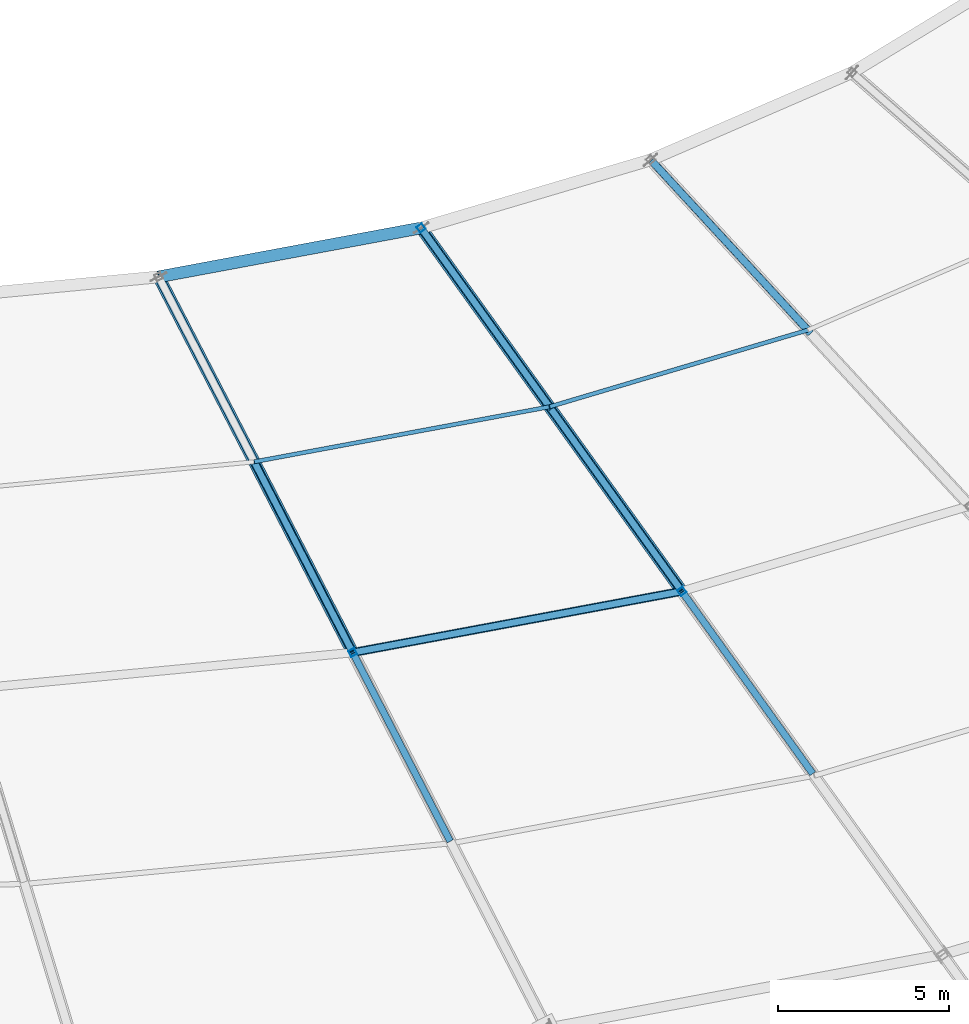
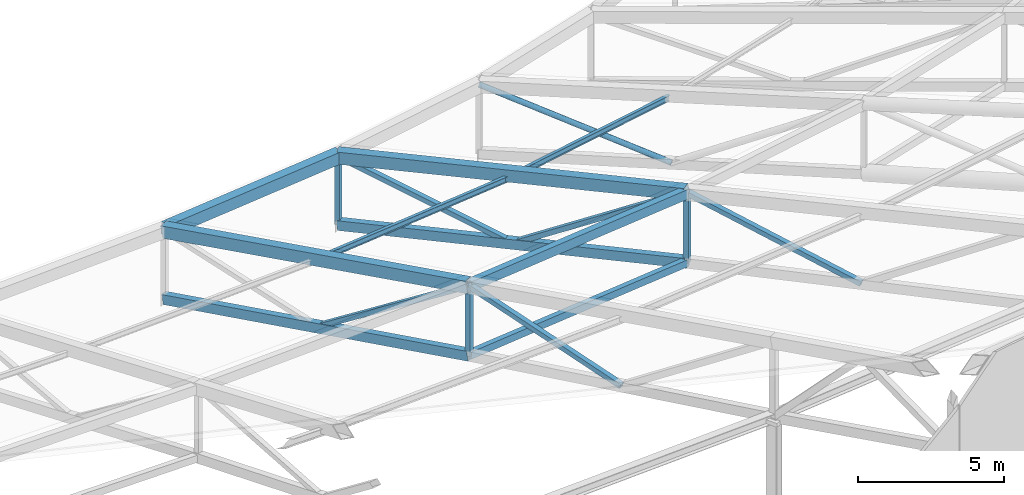
# One storey, part 58 of 143: 12 members, 6 beams.
"""IFC4 building model written with IfcOpenShell, lengths in metres."""

from ifc_helpers import new_model, si_unit, direction, frame, origin, origin_2d, place, context, subcontext, project, spatial, hollow_rectangle, hollow_circle, i_section, extrude, material, material_profile, profile_set, type_object, element, save


model = new_model("IFC4")

# Units and contexts
model_context = context("Model", 3, precision=1e-05, world=origin(), true_north=direction((0.0, 1.0)))
body_context = subcontext(model_context, "Body", "Model", "MODEL_VIEW")
ifc_project = project(units=[si_unit("LENGTHUNIT", "METRE"), si_unit("AREAUNIT", "SQUARE_METRE"), si_unit("VOLUMEUNIT", "CUBIC_METRE"), si_unit("PLANEANGLEUNIT", "RADIAN"), si_unit("MASSUNIT", "GRAM", prefix="KILO")], contexts=[model_context])

# Site, building, storey
site_placement = place(None, origin())
site = spatial("IfcSite", under=ifc_project, at=site_placement, CompositionType="ELEMENT")
building_placement = place(site_placement, origin())
building = spatial("IfcBuilding", under=site, at=building_placement, Name="Mphavela Belvedere Stadium", CompositionType="ELEMENT")
storey_placement = place(building_placement, frame((0.0, 0.0, 28.800048828125)))
storey = spatial("IfcBuildingStorey", under=building, at=storey_placement, Name="RF", CompositionType="ELEMENT", Elevation=28.800048828125)

# Beams
ifc_material_1 = material(Name="Steel S355", Category="steel")
ifc_material_profile_1 = material_profile(ifc_material_1, hollow_rectangle(XDim=0.35009765625, YDim=0.5, WallThickness=0.02001953125, at=origin_2d()), Name="RHS 500x350x20")
ifc_profile_set_1 = profile_set([ifc_material_profile_1], Name="Steel S355")
beam_type_1 = type_object("IfcBeamType", Name="BM-RING-IN", PredefinedType="BEAM", material=ifc_profile_set_1)
beam_1_placement = place(storey_placement, frame((137.383544921875, 43.668701171875, 6.90673828125), z_axis=(0.981391845302, 0.182791168086, -0.058799956167), x_axis=(-0.183107984128, 0.983092806478, 0.0)))
element("IfcBeam", 1, at=beam_1_placement, inside=storey, type_object=beam_type_1, Name="Inner tension ring beam RB-IN-39", PredefinedType="BEAM", context=body_context, shape_type="SweptSolid", body=[
    extrude(hollow_rectangle(XDim=0.35009765625, YDim=0.5, WallThickness=0.02001953125, at=origin_2d()), origin(), (0.0, 0.0, 1.0), 7.830810546875),
])
ifc_material_2 = material(Name="Steel S355", Category="steel")
ifc_material_profile_2 = material_profile(ifc_material_2, hollow_rectangle(XDim=0.25, YDim=0.39990234375, WallThickness=0.01611328125, at=origin_2d()), Name="RHS 400x250x16")
ifc_profile_set_2 = profile_set([ifc_material_profile_2], Name="Steel S355")
beam_type_2 = type_object("IfcBeamType", Name="BM-RING-MID", PredefinedType="BEAM", material=ifc_profile_set_2)
beam_2_placement = place(storey_placement, frame((143.06689453125, 32.66650390625, 9.271240234375), z_axis=(0.98139414179, 0.18277751042, -0.058804082729), x_axis=(-0.183094347373, 0.983095346322, 0.0)))
element("IfcBeam", 2, at=beam_2_placement, inside=storey, type_object=beam_type_2, Name="Intermediate roof ring beam RB-MID-39", PredefinedType="BEAM", context=body_context, shape_type="SweptSolid", body=[
    extrude(hollow_rectangle(XDim=0.25, YDim=0.39990234375, WallThickness=0.01611328125, at=origin_2d()), origin(), (0.0, 0.0, 1.0), 9.81884765625),
])
ifc_material_3 = material(Name="Steel S355", Category="steel")
ifc_material_profile_3 = material_profile(ifc_material_3, hollow_rectangle(XDim=0.25, YDim=0.39990234375, WallThickness=0.01611328125, at=origin_2d()), Name="RHS 400x250x16")
ifc_profile_set_3 = profile_set([ifc_material_profile_3], Name="Steel S355")
beam_type_3 = type_object("IfcBeamType", Name="BM-TRUSS-BC2", PredefinedType="BEAM", material=ifc_profile_set_3)
beam_3_placement = place(storey_placement, frame((143.06689453125, 32.66650390625, 6.371337890625), z_axis=(-0.451136932804, 0.87334017255, -0.183718292151), x_axis=(-0.888462753712, -0.458948728363, 0.0)))
element("IfcBeam", 3, at=beam_3_placement, inside=storey, type_object=beam_type_3, Name="Radial roof truss RT-39 bottom chord 3", PredefinedType="BEAM", context=body_context, shape_type="SweptSolid", body=[
    extrude(hollow_rectangle(XDim=0.25, YDim=0.39990234375, WallThickness=0.01611328125, at=origin_2d()), origin(), (0.0, 0.0, 1.0), 12.597900390625),
])
beam_4_placement = place(storey_placement, frame((152.703125, 34.461181640625, 5.793701171875), z_axis=(-0.574983176294, 0.801254896657, -0.165483949559), x_axis=(-0.812456656282, -0.583021596223, 0.0)))
element("IfcBeam", 4, at=beam_4_placement, inside=storey, type_object=beam_type_3, Name="Radial roof truss RT-40 bottom chord 3", PredefinedType="BEAM", context=body_context, shape_type="SweptSolid", body=[
    extrude(hollow_rectangle(XDim=0.25, YDim=0.39990234375, WallThickness=0.01611328125, at=origin_2d()), origin(), (0.0, 0.0, 1.0), 13.27783203125),
])
ifc_material_4 = material(Name="Steel S355", Category="steel")
ifc_material_profile_4 = material_profile(ifc_material_4, hollow_rectangle(XDim=0.35009765625, YDim=0.5, WallThickness=0.02001953125, at=origin_2d()), Name="RHS 500x350x20")
ifc_profile_set_4 = profile_set([ifc_material_profile_4], Name="Steel S355")
beam_type_4 = type_object("IfcBeamType", Name="BM-TRUSS-TC2", PredefinedType="BEAM", material=ifc_profile_set_4)
beam_5_placement = place(storey_placement, frame((143.06689453125, 32.66650390625, 9.271240234375), z_axis=(-0.450804465526, 0.872696560804, -0.187552783566), x_axis=(-0.888462753712, -0.458948728363, 0.0)))
element("IfcBeam", 5, at=beam_5_placement, inside=storey, type_object=beam_type_4, Name="Radial roof truss RT-39 top chord 3", PredefinedType="BEAM", context=body_context, shape_type="SweptSolid", body=[
    extrude(hollow_rectangle(XDim=0.35009765625, YDim=0.5, WallThickness=0.02001953125, at=origin_2d()), origin(), (0.0, 0.0, 1.0), 12.607177734375),
])
beam_6_placement = place(storey_placement, frame((152.703125, 34.461181640625, 8.69384765625), z_axis=(-0.574618992285, 0.800747396207, -0.169164479645), x_axis=(-0.812456656282, -0.583021596223, 0.0)))
element("IfcBeam", 6, at=beam_6_placement, inside=storey, type_object=beam_type_4, Name="Radial roof truss RT-40 top chord 3", PredefinedType="BEAM", context=body_context, shape_type="SweptSolid", body=[
    extrude(hollow_rectangle(XDim=0.35009765625, YDim=0.5, WallThickness=0.02001953125, at=origin_2d()), origin(), (0.0, 0.0, 1.0), 13.2861328125),
])

# Members
ifc_material_5 = material(Name="Steel S355", Category="steel")
ifc_material_profile_5 = material_profile(ifc_material_5, hollow_circle(Radius=0.109619140625, WallThickness=0.012451171875, at=origin_2d()), Name="CHS 219.1x12.5")
ifc_profile_set_5 = profile_set([ifc_material_profile_5], Name="Steel S355")
member_type_1 = type_object("IfcMemberType", Name="MEM-DIAG-219", PredefinedType="BRACE", material=ifc_profile_set_5)
member_1_placement = place(storey_placement, frame((156.46337890625, 42.02978515625, 4.0185546875), z_axis=(-0.655206970237, 0.710618055217, 0.25637044633), x_axis=(-0.735189102669, -0.677862068061, 0.0)))
element("IfcMember", 7, at=member_1_placement, inside=storey, type_object=member_type_1, Name="Radial roof truss RT-41 web diagonal D6", PredefinedType="BRACE", context=body_context, shape_type="SweptSolid", body=[
    extrude(hollow_circle(Radius=0.109619140625, WallThickness=0.012451171875, at=origin_2d()), origin(), (0.0, 0.0, 1.0), 7.12890625),
])
ifc_material_6 = material(Name="Steel S355", Category="steel")
ifc_material_profile_6 = material_profile(ifc_material_6, hollow_rectangle(XDim=0.199951171875, YDim=0.199951171875, WallThickness=0.010009765625, at=origin_2d()), Name="SHS 200x200x10")
ifc_profile_set_6 = profile_set([ifc_material_profile_6], Name="Steel S355")
member_type_2 = type_object("IfcMemberType", Name="MEM-POST-SHS200", PredefinedType="POST", material=ifc_profile_set_6)
member_2_placement = place(storey_placement, frame((143.06689453125, 32.66650390625, 6.371337890625), z_axis=(0.0, 0.0, 1.0), x_axis=(0.458959712465, -0.888457079624, 0.0)))
element("IfcMember", 8, at=member_2_placement, inside=storey, type_object=member_type_2, Name="Radial roof truss RT-39 post P3", PredefinedType="POST", context=body_context, shape_type="SweptSolid", body=[
    extrude(hollow_rectangle(XDim=0.199951171875, YDim=0.199951171875, WallThickness=0.010009765625, at=origin_2d()), origin(), (0.0, 0.0, 1.0), 2.89990234375),
])
member_3_placement = place(storey_placement, frame((145.90869140625, 27.16552734375, 7.428466796875), z_axis=(-0.439902596761, 0.851536538679, 0.285256426147), x_axis=(-0.888450561596, -0.458972329885, 0.0)))
element("IfcMember", 9, at=member_3_placement, inside=storey, type_object=member_type_2, Name="Radial roof truss RT-39 web diagonal D4", PredefinedType="POST", context=body_context, shape_type="SweptSolid", body=[
    extrude(hollow_rectangle(XDim=0.199951171875, YDim=0.199951171875, WallThickness=0.010009765625, at=origin_2d()), origin(), (0.0, 0.0, 1.0), 6.4599609375),
])
member_4_placement = place(storey_placement, frame((143.06689453125, 32.66650390625, 9.271240234375), z_axis=(-0.383859936518, 0.743149407127, -0.548069801963), x_axis=(-0.888474944996, -0.458925126916, 0.0)))
element("IfcMember", 10, at=member_4_placement, inside=storey, type_object=member_type_2, Name="Radial roof truss RT-39 web diagonal D5", PredefinedType="POST", context=body_context, shape_type="SweptSolid", body=[
    extrude(hollow_rectangle(XDim=0.199951171875, YDim=0.199951171875, WallThickness=0.010009765625, at=origin_2d()), origin(), (0.0, 0.0, 1.0), 7.402587890625),
])
member_5_placement = place(storey_placement, frame((152.703125, 34.461181640625, 5.793701171875), z_axis=(0.0, 0.0, 1.0), x_axis=(0.582974127943, -0.812490717577, 0.0)))
element("IfcMember", 11, at=member_5_placement, inside=storey, type_object=member_type_2, Name="Radial roof truss RT-40 post P3", PredefinedType="POST", context=body_context, shape_type="SweptSolid", body=[
    extrude(hollow_rectangle(XDim=0.199951171875, YDim=0.199951171875, WallThickness=0.010009765625, at=origin_2d()), origin(), (0.0, 0.0, 1.0), 2.900146484375),
])
member_6_placement = place(storey_placement, frame((145.068603515625, 45.10009765625, 3.596435546875), z_axis=(0.0, 0.0, 1.0), x_axis=(0.582974127943, -0.812490717577, 0.0)))
element("IfcMember", 12, at=member_6_placement, inside=storey, type_object=member_type_2, Name="Radial roof truss RT-40 post P4", PredefinedType="POST", context=body_context, shape_type="SweptSolid", body=[
    extrude(hollow_rectangle(XDim=0.199951171875, YDim=0.199951171875, WallThickness=0.010009765625, at=origin_2d()), origin(), (0.0, 0.0, 1.0), 2.849853515625),
])
member_7_placement = place(storey_placement, frame((156.5205078125, 29.14208984375, 6.79248046875), z_axis=(-0.559926518449, 0.780194362845, 0.278888956618), x_axis=(-0.812428810785, -0.583060397734, 0.0)))
element("IfcMember", 13, at=member_7_placement, inside=storey, type_object=member_type_2, Name="Radial roof truss RT-40 web diagonal D4", PredefinedType="POST", context=body_context, shape_type="SweptSolid", body=[
    extrude(hollow_rectangle(XDim=0.199951171875, YDim=0.199951171875, WallThickness=0.010009765625, at=origin_2d()), origin(), (0.0, 0.0, 1.0), 6.817626953125),
])
member_8_placement = place(storey_placement, frame((152.703125, 34.461181640625, 8.69384765625), z_axis=(-0.497545206868, 0.693381036933, -0.521221166824), x_axis=(-0.81247182472, -0.583000458006, 0.0)))
element("IfcMember", 14, at=member_8_placement, inside=storey, type_object=member_type_2, Name="Radial roof truss RT-40 web diagonal D5", PredefinedType="POST", context=body_context, shape_type="SweptSolid", body=[
    extrude(hollow_rectangle(XDim=0.199951171875, YDim=0.199951171875, WallThickness=0.010009765625, at=origin_2d()), origin(), (0.0, 0.0, 1.0), 7.671875),
])
member_9_placement = place(storey_placement, frame((148.885986328125, 39.78076171875, 4.695068359375), z_axis=(-0.563243412543, 0.78485210236, 0.258387375171), x_axis=(-0.812441487165, -0.583042734226, 0.0)))
element("IfcMember", 15, at=member_9_placement, inside=storey, type_object=member_type_2, Name="Radial roof truss RT-40 web diagonal D6", PredefinedType="POST", context=body_context, shape_type="SweptSolid", body=[
    extrude(hollow_rectangle(XDim=0.199951171875, YDim=0.199951171875, WallThickness=0.010009765625, at=origin_2d()), origin(), (0.0, 0.0, 1.0), 6.777587890625),
])
ifc_material_7 = material(Name="Steel S355", Category="steel")
ifc_material_profile_7 = material_profile(ifc_material_7, i_section(OverallWidth=0.1201171875, OverallDepth=0.239990234375, WebThickness=0.006103515625, FlangeThickness=0.009765625, at=origin_2d()), Name="IPE 240")
ifc_profile_set_7 = profile_set([ifc_material_profile_7], Name="Steel S355")
member_type_3 = type_object("IfcMemberType", Name="MEM-PURLIN-IPE240", PredefinedType="PURLIN", material=ifc_profile_set_7)
member_10_placement = place(storey_placement, frame((140.181640625, 38.252197265625, 7.910888671875), z_axis=(0.981390057649, 0.182798170684, -0.05880802277), x_axis=(-0.183115086025, 0.983091483673, 0.0)))
element("IfcMember", 16, at=member_10_placement, inside=storey, type_object=member_type_3, Name="Saddle canopy steel purlin 39-1", PredefinedType="PURLIN", context=body_context, shape_type="SweptSolid", body=[
    extrude(i_section(OverallWidth=0.1201171875, OverallDepth=0.239990234375, WebThickness=0.006103515625, FlangeThickness=0.009765625, at=origin_2d()), origin(), (0.0, 0.0, 1.0), 8.8095703125),
])
member_11_placement = place(storey_placement, frame((148.8271484375, 39.862548828125, 7.392822265625), z_axis=(0.955166960995, 0.283522803391, -0.085269552482), x_axis=(-0.284559190919, 0.958658472483, 0.0)))
element("IfcMember", 17, at=member_11_placement, inside=storey, type_object=member_type_3, Name="Saddle canopy steel purlin 40-1", PredefinedType="PURLIN", context=body_context, shape_type="SweptSolid", body=[
    extrude(i_section(OverallWidth=0.1201171875, OverallDepth=0.239990234375, WebThickness=0.006103515625, FlangeThickness=0.009765625, at=origin_2d()), origin(), (0.0, 0.0, 1.0), 7.91943359375),
])
ifc_material_8 = material(Name="Steel S355", Category="steel")
ifc_material_profile_8 = material_profile(ifc_material_8, hollow_rectangle(XDim=0.199951171875, YDim=0.300048828125, WallThickness=0.011962890625, at=origin_2d()), Name="RHS 300x200x12")
ifc_profile_set_8 = profile_set([ifc_material_profile_8], Name="Steel S355")
member_type_4 = type_object("IfcMemberType", Name="MEM-SEC-CHORD", PredefinedType="CHORD", material=ifc_profile_set_8)
member_12_placement = place(storey_placement, frame((143.06689453125, 32.66650390625, 6.371337890625), z_axis=(0.981392706571, 0.182777243121, -0.058828861002), x_axis=(-0.183094347373, 0.983095346322, 0.0)))
element("IfcMember", 18, at=member_12_placement, inside=storey, type_object=member_type_4, Name="Secondary bottom roof tie chord 39", PredefinedType="CHORD", context=body_context, shape_type="SweptSolid", body=[
    extrude(hollow_rectangle(XDim=0.199951171875, YDim=0.300048828125, WallThickness=0.011962890625, at=origin_2d()), origin(), (0.0, 0.0, 1.0), 9.81884765625),
])

save(model, "model.ifc")
